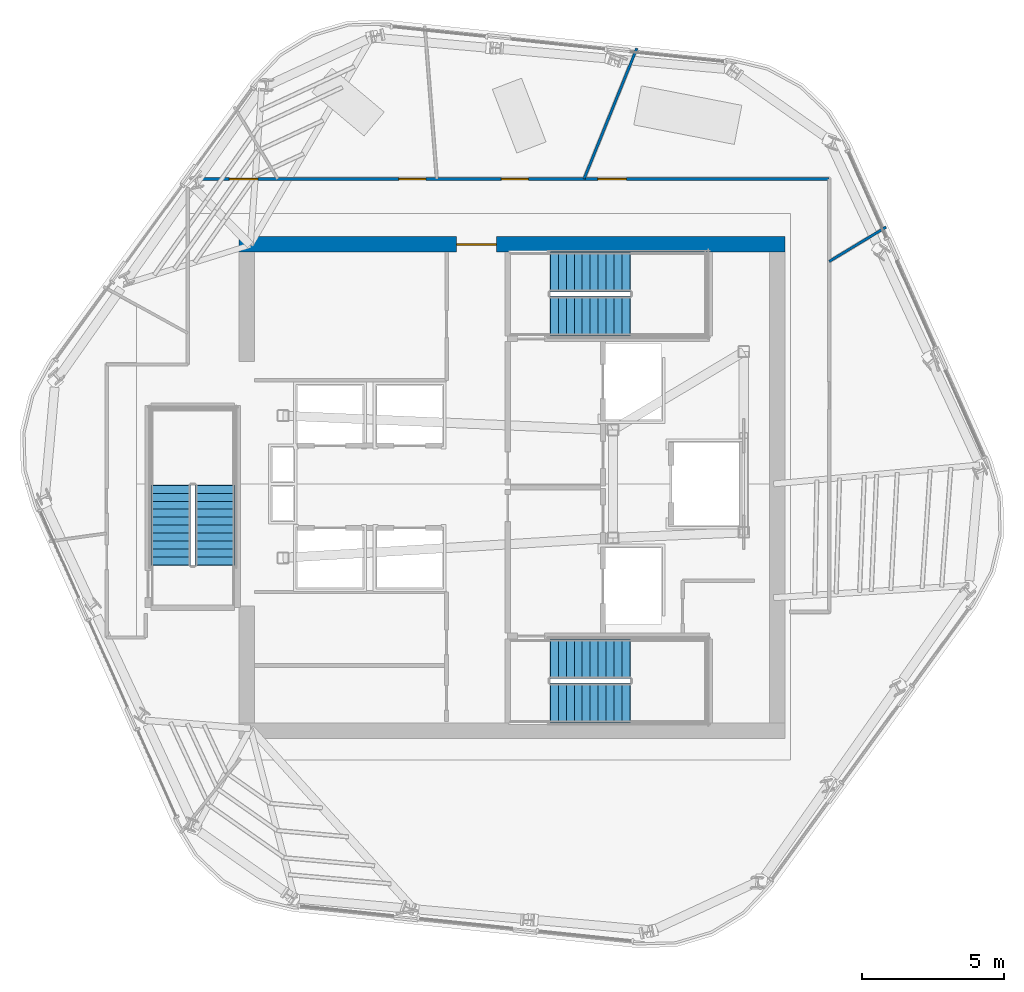
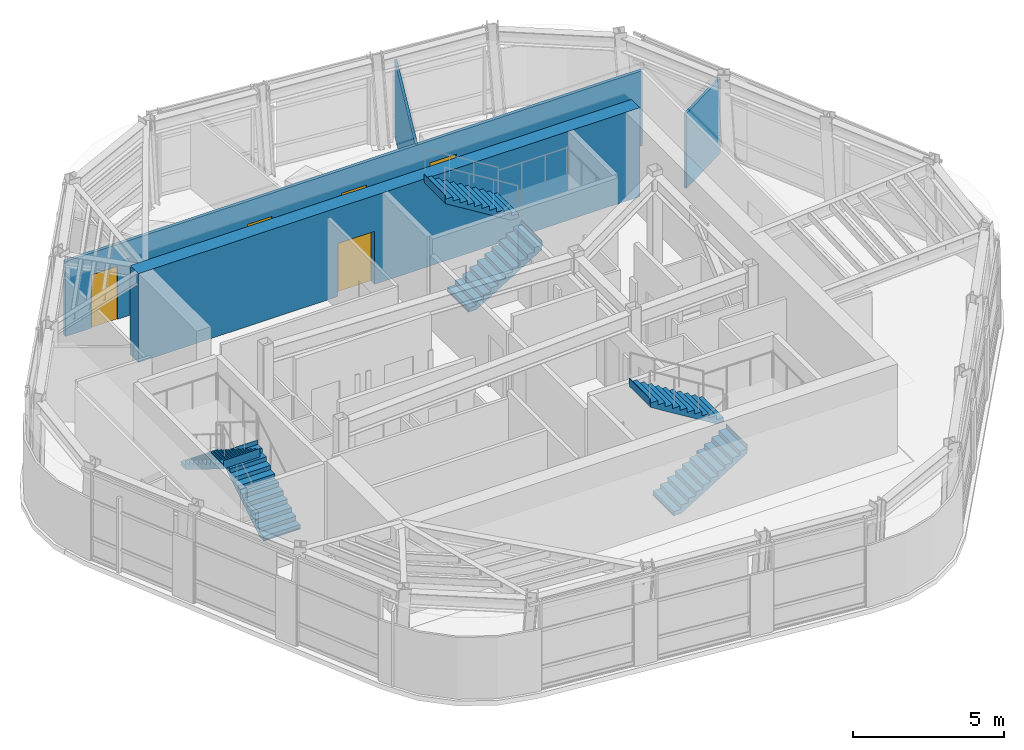
# One storey, part 7 of 12: 6 stair flights, 5 doors, 4 walls, 5 openings, 3 elements without a shape of their own.
"""IFC4 building model written with IfcOpenShell, lengths in metres."""

from ifc_helpers import new_model, si_unit, direction, frame, frame_2d, origin, place, context, subcontext, project, spatial, polyline, rectangle, outline, extrude, material, layer, layer_set, type_object, element, fill, aggregate, save


model = new_model("IFC4")

# Units and contexts
model_context = context("Model", 3, precision=1e-05, world=origin(), true_north=direction((0.0, 1.0)))
body_context = subcontext(model_context, "Body", "Model", "MODEL_VIEW")
ifc_project = project(units=[si_unit("LENGTHUNIT", "METRE"), si_unit("AREAUNIT", "SQUARE_METRE"), si_unit("VOLUMEUNIT", "CUBIC_METRE"), si_unit("PLANEANGLEUNIT", "RADIAN"), si_unit("MASSUNIT", "GRAM", prefix="KILO")], contexts=[model_context])

# Site, building, storey
site_placement = place(None, origin())
site = spatial("IfcSite", under=ifc_project, at=site_placement, CompositionType="ELEMENT")
building_placement = place(site_placement, origin())
building = spatial("IfcBuilding", under=site, at=building_placement, Name="Valkerne Bourse Tower", CompositionType="ELEMENT")
storey_placement = place(building_placement, frame((0.0, 0.0, 258.39990234375)))
storey = spatial("IfcBuildingStorey", under=building, at=storey_placement, Name="L65", CompositionType="ELEMENT", Elevation=258.39990234375)

# Wall, opening, door
ifc_material_1 = material(Name="Concrete C55/67", Category="concrete")
ifc_layer_1 = layer(ifc_material_1, 0.550048828125)
ifc_layer_set_1 = layer_set([ifc_layer_1], Name="Concrete C55/67")
wall_type_1 = type_object("IfcWallType", Name="W-CORE-550", PredefinedType="SHEAR", material=ifc_layer_set_1)
wall_1_placement = place(storey_placement, frame((37.199951171875, 35.425048828125, 0.0), z_axis=(0.0, 0.0, 1.0), x_axis=(1.0, 0.0, 0.0)))
wall_1 = element("IfcWall", 1, at=wall_1_placement, inside=storey, type_object=wall_type_1, Name="L65 Core Shear Wall NORTH", PredefinedType="SHEAR", context=body_context, shape_type="SweptSolid", body=[
    extrude(rectangle(XDim=19.199951171875, YDim=0.550048828125, at=frame_2d((9.60009765625, 0.0))), origin(), (0.0, 0.0, 1.0), 3.60009765625),
])
opening_1_placement = place(wall_1_placement, frame((7.64990234375, 0.0, 0.0)))
opening_1 = element("IfcOpeningElement", 2, at=opening_1_placement, cuts=wall_1, Name="Opening D-PL-1400", PredefinedType="OPENING", context=body_context, shape_type="SweptSolid", body=[
    extrude(rectangle(XDim=1.39990234375, YDim=2.14990234375, at=frame_2d((0.699951171875, 1.074951171875))), frame((0.0, 0.284912109375, 0.0), z_axis=(0.0, -1.0, 0.0), x_axis=(1.0, 0.0, 0.0)), (0.0, 0.0, 1.0), 0.570068359375),
])
ifc_material_2 = material(Name="Galvanised Painted Steel", Category="steel")
door_type_1 = type_object("IfcDoorType", Name="DR-PLT-1400", OperationType="DOUBLE_DOOR_SINGLE_SWING", PredefinedType="DOOR", material=ifc_material_2)
door_1_placement = place(opening_1_placement, origin())
door_1 = element("IfcDoor", 3, at=door_1_placement, inside=storey, type_object=door_type_1, Name="L65 North Passenger Lift Hall Fire Door", OperationType="DOUBLE_DOOR_SINGLE_SWING", OverallHeight=2.14990234375, OverallWidth=1.39990234375, PredefinedType="DOOR", context=body_context, shape_type="SweptSolid", body=[
    extrude(rectangle(XDim=1.39990234375, YDim=2.14990234375, at=frame_2d((0.699951171875, 1.074951171875))), frame((0.0, 0.02490234375, 0.0), z_axis=(0.0, -1.0, 0.0), x_axis=(1.0, 0.0, 0.0)), (0.0, 0.0, 1.0), 0.050048828125),
])
fill(opening_1, door_1)

# Wall, openings, doors
ifc_material_3 = material(Name="Gypsum Board Steel-Stud Partition", Category="steel")
ifc_layer_2 = layer(ifc_material_3, 0.117919921875)
ifc_layer_set_2 = layer_set([ifc_layer_2], Name="Gypsum Board Steel-Stud Partition")
wall_type_2 = type_object("IfcWallType", Name="W-CORR-140", PredefinedType="PARTITIONING", material=ifc_layer_set_2)
wall_2_placement = place(storey_placement, frame((35.851318359375, 37.719970703125, 0.0), z_axis=(0.0, 0.0, 1.0), x_axis=(1.0, 0.0, 0.0)))
wall_2 = element("IfcWall", 4, at=wall_2_placement, inside=storey, type_object=wall_type_2, Name="L65 Corridor Enclosure Wall", PredefinedType="PARTITIONING", context=body_context, shape_type="SweptSolid", body=[
    extrude(rectangle(XDim=22.0986328125, YDim=0.117919921875, at=frame_2d((11.04931640625, 0.0))), origin(), (0.0, 0.0, 1.0), 3.036376953125),
])
opening_2_placement = place(wall_2_placement, frame((10.574462890625, 0.0, 0.0)))
opening_2 = element("IfcOpeningElement", 5, at=opening_2_placement, cuts=wall_2, Name="Opening D-OF-950", PredefinedType="OPENING", context=body_context, shape_type="SweptSolid", body=[
    extrude(rectangle(XDim=0.949951171875, YDim=2.10009765625, at=frame_2d((0.47509765625, 1.050048828125))), frame((0.0, 0.06884765625, 0.0), z_axis=(0.0, -1.0, 0.0), x_axis=(1.0, 0.0, 0.0)), (0.0, 0.0, 1.0), 0.137939453125),
])
opening_3_placement = place(wall_2_placement, frame((6.974365234375, 0.0, 0.0)))
opening_3 = element("IfcOpeningElement", 6, at=opening_3_placement, cuts=wall_2, Name="Opening D-OF-950", PredefinedType="OPENING", context=body_context, shape_type="SweptSolid", body=[
    extrude(rectangle(XDim=0.949951171875, YDim=2.10009765625, at=frame_2d((0.47509765625, 1.050048828125))), frame((0.0, 0.06884765625, 0.0), z_axis=(0.0, -1.0, 0.0), x_axis=(1.0, 0.0, 0.0)), (0.0, 0.0, 1.0), 0.137939453125),
])
opening_4_placement = place(wall_2_placement, frame((13.969482421875, 0.0, 0.0)))
opening_4 = element("IfcOpeningElement", 7, at=opening_4_placement, cuts=wall_2, Name="Opening D-MG-1000", PredefinedType="OPENING", context=body_context, shape_type="SweptSolid", body=[
    extrude(rectangle(XDim=1.0, YDim=2.14990234375, at=frame_2d((0.5, 1.074951171875))), frame((0.0, 0.06884765625, 0.0), z_axis=(0.0, -1.0, 0.0), x_axis=(1.0, 0.0, 0.0)), (0.0, 0.0, 1.0), 0.137939453125),
])
opening_5_placement = place(wall_2_placement, frame((1.009521484375, 0.0, 0.0)))
opening_5 = element("IfcOpeningElement", 8, at=opening_5_placement, cuts=wall_2, Name="Opening D-MG-1000", PredefinedType="OPENING", context=body_context, shape_type="SweptSolid", body=[
    extrude(rectangle(XDim=1.0, YDim=2.14990234375, at=frame_2d((0.5, 1.074951171875))), frame((0.0, 0.06884765625, 0.0), z_axis=(0.0, -1.0, 0.0), x_axis=(1.0, 0.0, 0.0)), (0.0, 0.0, 1.0), 0.137939453125),
])
ifc_material_4 = material(Name="Laminated Tempered Safety Glass", Category="glass")
door_type_2 = type_object("IfcDoorType", Name="DR-MTG-1000", OperationType="NOTDEFINED", PredefinedType="DOOR", material=ifc_material_4)
door_2_placement = place(opening_4_placement, origin())
door_2 = element("IfcDoor", 9, at=door_2_placement, inside=storey, type_object=door_type_2, Name="L65 L65 Client Strategy Conference Room 5 Door", OperationType="SINGLE_SWING_RIGHT", OverallHeight=2.14990234375, OverallWidth=1.0, PredefinedType="DOOR", context=body_context, shape_type="SweptSolid", body=[
    extrude(rectangle(XDim=1.0, YDim=2.14990234375, at=frame_2d((0.5, 1.074951171875))), frame((0.0, 0.02490234375, 0.0), z_axis=(0.0, -1.0, 0.0), x_axis=(1.0, 0.0, 0.0)), (0.0, 0.0, 1.0), 0.050048828125),
])
fill(opening_4, door_2)
door_3_placement = place(opening_5_placement, origin())
door_3 = element("IfcDoor", 10, at=door_3_placement, inside=storey, type_object=door_type_2, Name="L65 L65 Client Strategy Conference Room 6 Door", OperationType="SINGLE_SWING_RIGHT", OverallHeight=2.14990234375, OverallWidth=1.0, PredefinedType="DOOR", context=body_context, shape_type="SweptSolid", body=[
    extrude(rectangle(XDim=1.0, YDim=2.14990234375, at=frame_2d((0.5, 1.074951171875))), frame((0.0, 0.02490234375, 0.0), z_axis=(0.0, -1.0, 0.0), x_axis=(1.0, 0.0, 0.0)), (0.0, 0.0, 1.0), 0.050048828125),
])
fill(opening_5, door_3)
ifc_material_5 = material(Name="Architectural White Oak Timber", Category="wood")
door_type_3 = type_object("IfcDoorType", Name="DR-OFF-950", OperationType="NOTDEFINED", PredefinedType="DOOR", material=ifc_material_5)
door_4_placement = place(opening_2_placement, origin())
door_4 = element("IfcDoor", 11, at=door_4_placement, inside=storey, type_object=door_type_3, Name="L65 L65 Exchange Security Control Room 3 Door", OperationType="SINGLE_SWING_RIGHT", OverallHeight=2.10009765625, OverallWidth=0.949951171875, PredefinedType="DOOR", context=body_context, shape_type="SweptSolid", body=[
    extrude(rectangle(XDim=0.949951171875, YDim=2.10009765625, at=frame_2d((0.47509765625, 1.050048828125))), frame((0.0, 0.02490234375, 0.0), z_axis=(0.0, -1.0, 0.0), x_axis=(1.0, 0.0, 0.0)), (0.0, 0.0, 1.0), 0.050048828125),
])
fill(opening_2, door_4)
door_5_placement = place(opening_3_placement, origin())
door_5 = element("IfcDoor", 12, at=door_5_placement, inside=storey, type_object=door_type_3, Name="L65 L65 Exchange Security Control Room 4 Door", OperationType="SINGLE_SWING_RIGHT", OverallHeight=2.10009765625, OverallWidth=0.949951171875, PredefinedType="DOOR", context=body_context, shape_type="SweptSolid", body=[
    extrude(rectangle(XDim=0.949951171875, YDim=2.10009765625, at=frame_2d((0.47509765625, 1.050048828125))), frame((0.0, 0.02490234375, 0.0), z_axis=(0.0, -1.0, 0.0), x_axis=(1.0, 0.0, 0.0)), (0.0, 0.0, 1.0), 0.050048828125),
])
fill(opening_3, door_5)

# Walls
ifc_layer_3 = layer(ifc_material_3, 0.092041015625)
ifc_layer_set_3 = layer_set([ifc_layer_3], Name="Gypsum Board Steel-Stud Partition")
wall_type_3 = type_object("IfcWallType", Name="W-PART-115", PredefinedType="PARTITIONING", material=ifc_layer_set_3)
wall_3_placement = place(storey_placement, frame((49.333251953125, 37.72509765625, 0.0), z_axis=(0.0, 0.0, 1.0), x_axis=(0.374609761037, 0.927182574758, 0.0)))
element("IfcWall", 13, at=wall_3_placement, inside=storey, type_object=wall_type_3, Name="L65 Suite Partition P01", PredefinedType="PARTITIONING", context=body_context, shape_type="SweptSolid", body=[
    extrude(rectangle(XDim=4.952392578125, YDim=0.092041015625, at=frame_2d((2.47607421875, 0.0))), origin(), (0.0, 0.0, 1.0), 3.036376953125),
])
wall_4_placement = place(storey_placement, frame((57.955078125, 34.82421875, 0.0), z_axis=(0.0, 0.0, 1.0), x_axis=(0.85597719956, 0.517013572195, 0.0)))
element("IfcWall", 14, at=wall_4_placement, inside=storey, type_object=wall_type_3, Name="L65 Suite Partition P07", PredefinedType="PARTITIONING", context=body_context, shape_type="SweptSolid", body=[
    extrude(rectangle(XDim=2.33642578125, YDim=0.092041015625, at=frame_2d((1.168212890625, 0.0))), origin(), (0.0, 0.0, 1.0), 3.036376953125),
])

# Stair, stair flights
ifc_material_6 = material(Name="Concrete C40/50", Category="concrete")
stair_type = type_object("IfcStairType", Name="ST-CORE-1400", PredefinedType="HALF_TURN_STAIR", material=ifc_material_6)
stair_1_placement = place(storey_placement, origin())
stair_1 = element("IfcStair", 15, at=stair_1_placement, inside=storey, type_object=stair_type, Name="L65 ST-1", PredefinedType="HALF_TURN_STAIR")
stair_flight_type = type_object("IfcStairFlightType", Name="STF-CORE-1400", PredefinedType="STRAIGHT", material=ifc_material_6)
stair_flight_1_placement = place(storey_placement, frame((48.14990234375, 19.300048828125, 0.0), z_axis=(0.0, 0.0, 1.0), x_axis=(1.0, 0.0, 0.0)))
stair_flight_1 = element("IfcStairFlight", 16, at=stair_flight_1_placement, type_object=stair_flight_type, Name="ST-1 flight 1", NumberOfRisers=11, NumberOfTreads=10, PredefinedType="STRAIGHT", RiserHeight=0.172727273, TreadLength=0.28, context=body_context, shape_type="SweptSolid", body=[
    extrude(outline(polyline([(-0.02001953125, 0.0), (-0.02001953125, 0.044921875), (0.0, 0.044921875), (0.0, 0.172607421875), (0.280029296875, 0.172607421875), (0.280029296875, 0.345458984375), (0.56005859375, 0.345458984375), (0.56005859375, 0.51806640625), (0.840087890625, 0.51806640625), (0.840087890625, 0.69091796875), (1.1201171875, 0.69091796875), (1.1201171875, 0.863525390625), (1.39990234375, 0.863525390625), (1.39990234375, 1.036376953125), (1.679931640625, 1.036376953125), (1.679931640625, 1.208984375), (1.9599609375, 1.208984375), (1.9599609375, 1.3818359375), (2.239990234375, 1.3818359375), (2.239990234375, 1.554443359375), (2.52001953125, 1.554443359375), (2.52001953125, 1.727294921875), (2.800048828125, 1.727294921875), (2.800048828125, 1.89990234375), (2.820068359375, 1.89990234375), (2.820068359375, 1.780029296875), (2.800048828125, 1.551025390625), (0.285400390625, 0.0), (-0.02001953125, 0.0)])), frame((0.0, 0.699951171875, 0.0), z_axis=(0.0, -1.0, 0.0), x_axis=(1.0, 0.0, 0.0)), (0.0, 0.0, 1.0), 1.39990234375),
])
stair_flight_2_placement = place(storey_placement, frame((50.949951171875, 20.85009765625, 1.900146484375), z_axis=(0.0, 0.0, 1.0), x_axis=(-1.0, 0.0, 0.0)))
stair_flight_2 = element("IfcStairFlight", 17, at=stair_flight_2_placement, type_object=stair_flight_type, Name="ST-1 flight 2", NumberOfRisers=11, NumberOfTreads=10, PredefinedType="STRAIGHT", RiserHeight=0.172727273, TreadLength=0.28, context=body_context, shape_type="SweptSolid", body=[
    extrude(outline(polyline([(-0.02001953125, 0.0), (-0.02001953125, 0.044921875), (0.0, 0.044921875), (0.0, 0.172607421875), (0.280029296875, 0.172607421875), (0.280029296875, 0.345458984375), (0.56005859375, 0.345458984375), (0.56005859375, 0.51806640625), (0.840087890625, 0.51806640625), (0.840087890625, 0.69091796875), (1.1201171875, 0.69091796875), (1.1201171875, 0.863525390625), (1.39990234375, 0.863525390625), (1.39990234375, 1.036376953125), (1.679931640625, 1.036376953125), (1.679931640625, 1.208984375), (1.9599609375, 1.208984375), (1.9599609375, 1.3818359375), (2.239990234375, 1.3818359375), (2.239990234375, 1.554443359375), (2.52001953125, 1.554443359375), (2.52001953125, 1.727294921875), (2.800048828125, 1.727294921875), (2.800048828125, 1.89990234375), (2.820068359375, 1.89990234375), (2.820068359375, 1.780029296875), (2.800048828125, 1.551025390625), (0.285400390625, 0.0), (-0.02001953125, 0.0)])), frame((0.0, 0.699951171875, 0.0), z_axis=(0.0, -1.0, 0.0), x_axis=(1.0, 0.0, 0.0)), (0.0, 0.0, 1.0), 1.39990234375),
])
aggregate(stair_1, [stair_flight_1, stair_flight_2])

stair_2_placement = place(storey_placement, origin())
stair_2 = element("IfcStair", 18, at=stair_2_placement, inside=storey, type_object=stair_type, Name="L65 ST-2", PredefinedType="HALF_TURN_STAIR")
stair_flight_3_placement = place(storey_placement, frame((48.14990234375, 32.89990234375, 0.0), z_axis=(0.0, 0.0, 1.0), x_axis=(1.0, 0.0, 0.0)))
stair_flight_3 = element("IfcStairFlight", 19, at=stair_flight_3_placement, type_object=stair_flight_type, Name="ST-2 flight 1", NumberOfRisers=11, NumberOfTreads=10, PredefinedType="STRAIGHT", RiserHeight=0.172727273, TreadLength=0.28, context=body_context, shape_type="SweptSolid", body=[
    extrude(outline(polyline([(-0.02001953125, 0.0), (-0.02001953125, 0.044921875), (0.0, 0.044921875), (0.0, 0.172607421875), (0.280029296875, 0.172607421875), (0.280029296875, 0.345458984375), (0.56005859375, 0.345458984375), (0.56005859375, 0.51806640625), (0.840087890625, 0.51806640625), (0.840087890625, 0.69091796875), (1.1201171875, 0.69091796875), (1.1201171875, 0.863525390625), (1.39990234375, 0.863525390625), (1.39990234375, 1.036376953125), (1.679931640625, 1.036376953125), (1.679931640625, 1.208984375), (1.9599609375, 1.208984375), (1.9599609375, 1.3818359375), (2.239990234375, 1.3818359375), (2.239990234375, 1.554443359375), (2.52001953125, 1.554443359375), (2.52001953125, 1.727294921875), (2.800048828125, 1.727294921875), (2.800048828125, 1.89990234375), (2.820068359375, 1.89990234375), (2.820068359375, 1.780029296875), (2.800048828125, 1.551025390625), (0.285400390625, 0.0), (-0.02001953125, 0.0)])), frame((0.0, 0.699951171875, 0.0), z_axis=(0.0, -1.0, 0.0), x_axis=(1.0, 0.0, 0.0)), (0.0, 0.0, 1.0), 1.39990234375),
])
stair_flight_4_placement = place(storey_placement, frame((50.949951171875, 34.449951171875, 1.900146484375), z_axis=(0.0, 0.0, 1.0), x_axis=(-1.0, 0.0, 0.0)))
stair_flight_4 = element("IfcStairFlight", 20, at=stair_flight_4_placement, type_object=stair_flight_type, Name="ST-2 flight 2", NumberOfRisers=11, NumberOfTreads=10, PredefinedType="STRAIGHT", RiserHeight=0.172727273, TreadLength=0.28, context=body_context, shape_type="SweptSolid", body=[
    extrude(outline(polyline([(-0.02001953125, 0.0), (-0.02001953125, 0.044921875), (0.0, 0.044921875), (0.0, 0.172607421875), (0.280029296875, 0.172607421875), (0.280029296875, 0.345458984375), (0.56005859375, 0.345458984375), (0.56005859375, 0.51806640625), (0.840087890625, 0.51806640625), (0.840087890625, 0.69091796875), (1.1201171875, 0.69091796875), (1.1201171875, 0.863525390625), (1.39990234375, 0.863525390625), (1.39990234375, 1.036376953125), (1.679931640625, 1.036376953125), (1.679931640625, 1.208984375), (1.9599609375, 1.208984375), (1.9599609375, 1.3818359375), (2.239990234375, 1.3818359375), (2.239990234375, 1.554443359375), (2.52001953125, 1.554443359375), (2.52001953125, 1.727294921875), (2.800048828125, 1.727294921875), (2.800048828125, 1.89990234375), (2.820068359375, 1.89990234375), (2.820068359375, 1.780029296875), (2.800048828125, 1.551025390625), (0.285400390625, 0.0), (-0.02001953125, 0.0)])), frame((0.0, 0.699951171875, 0.0), z_axis=(0.0, -1.0, 0.0), x_axis=(1.0, 0.0, 0.0)), (0.0, 0.0, 1.0), 1.39990234375),
])
aggregate(stair_2, [stair_flight_3, stair_flight_4])

stair_3_placement = place(storey_placement, origin())
stair_3 = element("IfcStair", 21, at=stair_3_placement, inside=storey, type_object=stair_type, Name="L65 ST-3", PredefinedType="HALF_TURN_STAIR")
stair_flight_5_placement = place(storey_placement, frame((36.35009765625, 24.14990234375, 0.0), z_axis=(0.0, 0.0, 1.0), x_axis=(0.0, 1.0, 0.0)))
stair_flight_5 = element("IfcStairFlight", 22, at=stair_flight_5_placement, type_object=stair_flight_type, Name="ST-3 flight 1", NumberOfRisers=11, NumberOfTreads=10, PredefinedType="STRAIGHT", RiserHeight=0.172727273, TreadLength=0.28, context=body_context, shape_type="SweptSolid", body=[
    extrude(outline(polyline([(-0.02001953125, 0.0), (-0.02001953125, 0.044921875), (0.0, 0.044921875), (0.0, 0.172607421875), (0.280029296875, 0.172607421875), (0.280029296875, 0.345458984375), (0.56005859375, 0.345458984375), (0.56005859375, 0.51806640625), (0.840087890625, 0.51806640625), (0.840087890625, 0.69091796875), (1.1201171875, 0.69091796875), (1.1201171875, 0.863525390625), (1.39990234375, 0.863525390625), (1.39990234375, 1.036376953125), (1.679931640625, 1.036376953125), (1.679931640625, 1.208984375), (1.9599609375, 1.208984375), (1.9599609375, 1.3818359375), (2.239990234375, 1.3818359375), (2.239990234375, 1.554443359375), (2.52001953125, 1.554443359375), (2.52001953125, 1.727294921875), (2.800048828125, 1.727294921875), (2.800048828125, 1.89990234375), (2.820068359375, 1.89990234375), (2.820068359375, 1.780029296875), (2.800048828125, 1.551025390625), (0.285400390625, 0.0), (-0.02001953125, 0.0)])), frame((0.0, 0.699951171875, 0.0), z_axis=(0.0, -1.0, 0.0), x_axis=(1.0, 0.0, 0.0)), (0.0, 0.0, 1.0), 1.39990234375),
])
stair_flight_6_placement = place(storey_placement, frame((34.800048828125, 26.949951171875, 1.900146484375), z_axis=(0.0, 0.0, 1.0), x_axis=(0.0, -1.0, 0.0)))
stair_flight_6 = element("IfcStairFlight", 23, at=stair_flight_6_placement, type_object=stair_flight_type, Name="ST-3 flight 2", NumberOfRisers=11, NumberOfTreads=10, PredefinedType="STRAIGHT", RiserHeight=0.172727273, TreadLength=0.28, context=body_context, shape_type="SweptSolid", body=[
    extrude(outline(polyline([(-0.02001953125, 0.0), (-0.02001953125, 0.044921875), (0.0, 0.044921875), (0.0, 0.172607421875), (0.280029296875, 0.172607421875), (0.280029296875, 0.345458984375), (0.56005859375, 0.345458984375), (0.56005859375, 0.51806640625), (0.840087890625, 0.51806640625), (0.840087890625, 0.69091796875), (1.1201171875, 0.69091796875), (1.1201171875, 0.863525390625), (1.39990234375, 0.863525390625), (1.39990234375, 1.036376953125), (1.679931640625, 1.036376953125), (1.679931640625, 1.208984375), (1.9599609375, 1.208984375), (1.9599609375, 1.3818359375), (2.239990234375, 1.3818359375), (2.239990234375, 1.554443359375), (2.52001953125, 1.554443359375), (2.52001953125, 1.727294921875), (2.800048828125, 1.727294921875), (2.800048828125, 1.89990234375), (2.820068359375, 1.89990234375), (2.820068359375, 1.780029296875), (2.800048828125, 1.551025390625), (0.285400390625, 0.0), (-0.02001953125, 0.0)])), frame((0.0, 0.699951171875, 0.0), z_axis=(0.0, -1.0, 0.0), x_axis=(1.0, 0.0, 0.0)), (0.0, 0.0, 1.0), 1.39990234375),
])
aggregate(stair_3, [stair_flight_5, stair_flight_6])

save(model, "model.ifc")
